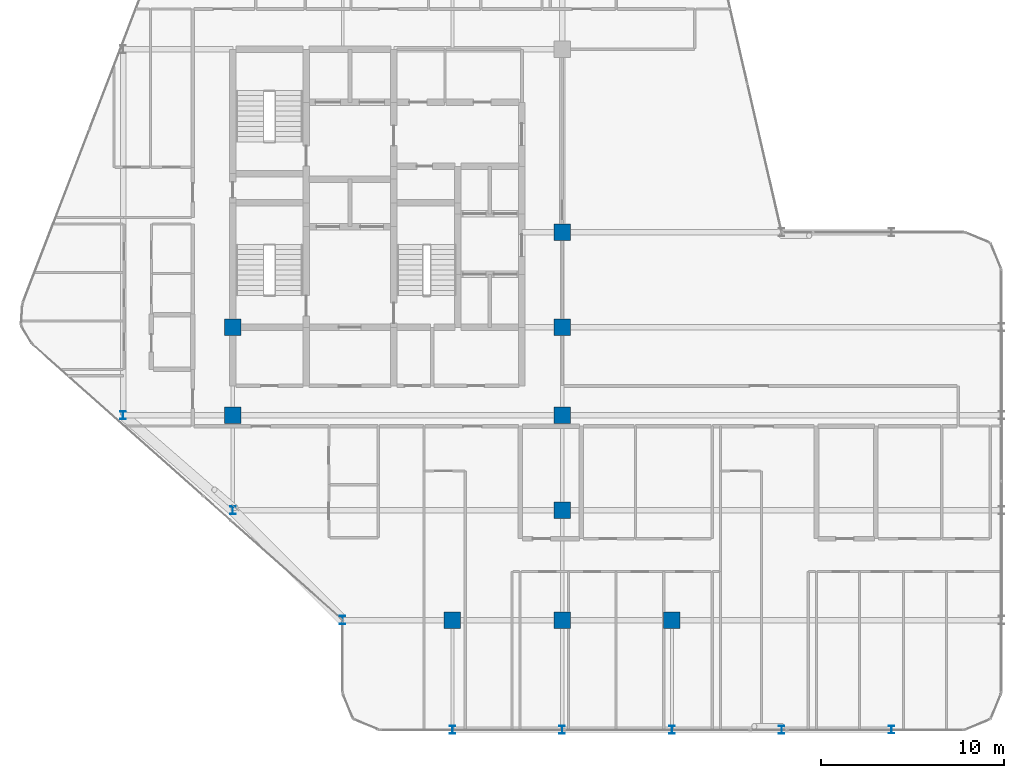
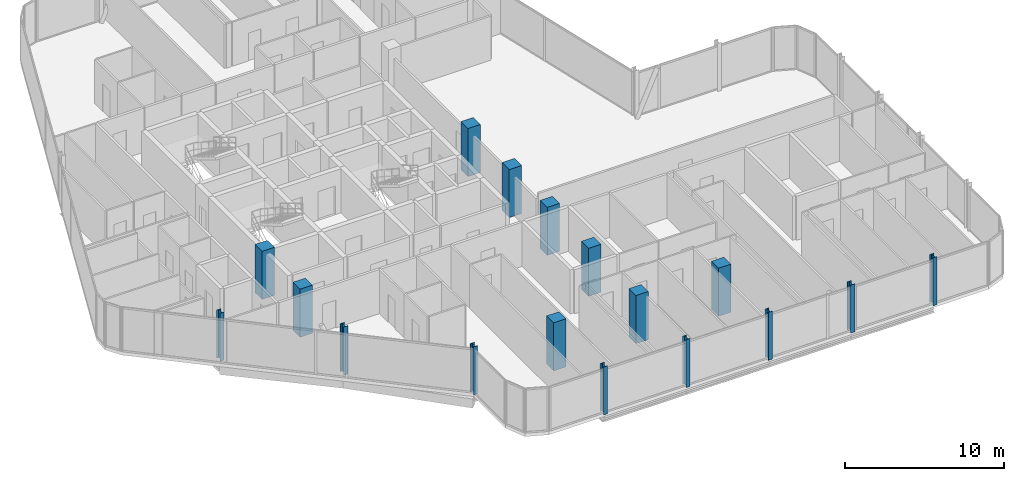
# One storey, part 1 of 29: 17 columns.
"""IFC4 building model written with IfcOpenShell, lengths in metres."""

import ifcopenshell
import ifcopenshell.guid

model = None  # the IFC model being written
_history = None  # IfcOwnerHistory: only IFC2X3 demands one
_inside = {}  # id of a spatial element -> (the spatial element, [elements in it])
_under = {}  # id of a project, library or spatial element -> (it, [spatial elements below it])
_declared = {}  # id of a project -> (the project, [libraries it declares])
_typed = {}  # id of a type object -> (the type object, [elements of that type])
_made_of = {}  # id of a material, layer set ... -> (it, [elements and type objects made of it])


def new_model(schema):
    """Start an empty IFC model of exactly this schema.

    Asked for "IFC4X3", IfcOpenShell would pick the latest addendum, in which some entities
    have other attributes; the version numbers below select the first issue.
    IFC2X3 requires an IfcOwnerHistory on every rooted entity: one is made here for all.
    """
    global model, _history
    if schema == "IFC4X3":
        model = ifcopenshell.file(schema_version=(4, 3, 0, 0))
    else:
        model = ifcopenshell.file(schema=schema)
    _inside.clear()
    _under.clear()
    _declared.clear()
    _typed.clear()
    _made_of.clear()
    _history = None
    if model.schema == "IFC2X3":
        org = make("IfcOrganization", Name="unknown")
        user = make(
            "IfcPersonAndOrganization",
            ThePerson=make("IfcPerson", FamilyName="unknown"),
            TheOrganization=org,
        )
        app = make(
            "IfcApplication",
            ApplicationDeveloper=org,
            Version="unknown",
            ApplicationFullName="unknown",
            ApplicationIdentifier="unknown",
        )
        _history = make(
            "IfcOwnerHistory",
            OwningUser=user,
            OwningApplication=app,
            ChangeAction="ADDED",
            CreationDate=0,
        )
    return model


def make(cls, **values):
    """One entity of the class cls with the attributes given. An attribute that is None is left unset."""
    return model.create_entity(
        cls, **{name: value for name, value in values.items() if value is not None}
    )


def rooted(cls, **values):
    """An entity with a GlobalId (a new one), such as an element, a storey or a relation."""
    return make(cls, GlobalId=ifcopenshell.guid.new(), OwnerHistory=_history, **values)


def si_unit(unit_type, name, prefix=None):
    """IfcSIUnit, for example si_unit("LENGTHUNIT", "METRE", prefix="MILLI")."""
    return make("IfcSIUnit", UnitType=unit_type, Prefix=prefix, Name=name)


def assignment(units):
    """IfcUnitAssignment: the units of a project."""
    return None if units is None else make("IfcUnitAssignment", Units=units)


def point(xyz):
    """IfcCartesianPoint."""
    return None if xyz is None else make("IfcCartesianPoint", Coordinates=xyz)


def direction(xyz):
    """IfcDirection."""
    return None if xyz is None else make("IfcDirection", DirectionRatios=xyz)


def frame(location, z_axis=None, x_axis=None):
    """IfcAxis2Placement3D, a coordinate frame: its origin and axes. An axis left out is left unset."""
    return make(
        "IfcAxis2Placement3D",
        Location=point(location),
        Axis=direction(z_axis),
        RefDirection=direction(x_axis),
    )


def frame_2d(location, x_axis=None):
    """IfcAxis2Placement2D, a coordinate frame in the plane: its origin and x axis."""
    return make(
        "IfcAxis2Placement2D", Location=point(location), RefDirection=direction(x_axis)
    )


def origin():
    """The frame at (0, 0, 0) with its axes left unset."""
    return frame((0.0, 0.0, 0.0))


def origin_2d():
    """The frame at (0, 0) in the plane with its x axis left unset."""
    return frame_2d((0.0, 0.0))


def place(relative_to, where):
    """IfcLocalPlacement: puts the frame where relative to a parent placement (None: the world)."""
    return make(
        "IfcLocalPlacement", PlacementRelTo=relative_to, RelativePlacement=where
    )


def context(
    kind, dimensions, precision=None, world=None, true_north=None, identifier=None
):
    """IfcGeometricRepresentationContext, for example the 3D "Model" context."""
    return make(
        "IfcGeometricRepresentationContext",
        ContextIdentifier=identifier,
        ContextType=kind,
        CoordinateSpaceDimension=dimensions,
        Precision=precision,
        WorldCoordinateSystem=world,
        TrueNorth=true_north,
    )


def subcontext(parent, identifier, kind, view, scale=None):
    """IfcGeometricRepresentationSubContext, for example "Body" below "Model"."""
    return make(
        "IfcGeometricRepresentationSubContext",
        ContextIdentifier=identifier,
        ContextType=kind,
        ParentContext=parent,
        TargetScale=scale,
        TargetView=view,
    )


def project(units=None, contexts=None):
    """IfcProject with its units and contexts."""
    return rooted(
        "IfcProject",
        Name="project",
        RepresentationContexts=contexts,
        UnitsInContext=assignment(units),
    )


def spatial(cls, under=None, at=None, **own):
    """A site, building, storey or space (cls), placed at a placement, below another one or the project."""
    s = rooted(cls, ObjectPlacement=at, **own)
    if under is not None:
        _under.setdefault(under.id(), (under, []))[1].append(s)
    return s


def profile(cls, at=None, kind="AREA", **sizes):
    """A parametric profile (cls). Its sizes go by their IFC names, for example OverallWidth=200.0."""
    return make(cls, ProfileType=kind, Position=at, **sizes)


def rectangle(**sizes):
    """IfcRectangleProfileDef."""
    return profile("IfcRectangleProfileDef", **sizes)


def i_section(**sizes):
    """IfcIShapeProfileDef."""
    return profile("IfcIShapeProfileDef", **sizes)


def extrude(swept, where, along, depth):
    """IfcExtrudedAreaSolid: the profile swept, set in the frame where, extruded along a direction by depth."""
    return make(
        "IfcExtrudedAreaSolid",
        SweptArea=swept,
        Position=where,
        ExtrudedDirection=direction(along),
        Depth=depth,
    )


def shape(context_of_items, identifier, shape_type, items):
    """IfcShapeRepresentation: the items that make up one representation, for example the "Body"."""
    return make(
        "IfcShapeRepresentation",
        ContextOfItems=context_of_items,
        RepresentationIdentifier=identifier,
        RepresentationType=shape_type,
        Items=items,
    )


def material(Name=None, Category=None):
    """IfcMaterial."""
    return make("IfcMaterial", Name=Name, Category=Category)


def material_profile(
    of_material, cross_section, Name=None, Category=None, Priority=None
):
    """IfcMaterialProfile: a cross section and its material."""
    return make(
        "IfcMaterialProfile",
        Name=Name,
        Material=of_material,
        Profile=cross_section,
        Priority=Priority,
        Category=Category,
    )


def profile_set(profiles, Name=None, composite=None):
    """IfcMaterialProfileSet."""
    return make(
        "IfcMaterialProfileSet",
        Name=Name,
        MaterialProfiles=profiles,
        CompositeProfile=composite,
    )


def made_of(thing, what):
    """Note that an element or type object is made of a material, layer set ...; save() writes the relation."""
    if what is not None:
        _made_of.setdefault(what.id(), (what, []))[1].append(thing)
    return thing


def type_object(cls, material=None, **own):
    """A type object (cls), such as IfcWallType, which elements share."""
    return made_of(rooted(cls, **own), material)


def element(
    cls,
    number,
    at=None,
    inside=None,
    cuts=None,
    type_object=None,
    material=None,
    context=None,
    identifier="Body",
    shape_type=None,
    held_by="IfcProductDefinitionShape",
    body=None,
    shapes=None,
    **own,
):
    """One element of the class cls, such as IfcWall. Its Tag is "e" and its number.

    at: its placement. inside: the storey or other place that contains it. cuts: it is an
    opening in that element (IfcRelVoidsElement). A single representation is given by context,
    identifier, shape_type and body (its items); several are given by shapes. held_by: the class
    of the entity that holds the representations. save() writes the other relations.
    """
    e = rooted(cls, Tag="e%d" % number, ObjectPlacement=at, **own)
    if body is not None:
        shapes = [shape(context, identifier, shape_type, body)]
    if shapes is not None:
        e.Representation = make(held_by, Representations=shapes)
    if inside is not None:
        _inside.setdefault(inside.id(), (inside, []))[1].append(e)
    if cuts is not None:
        rooted(
            "IfcRelVoidsElement", RelatingBuildingElement=cuts, RelatedOpeningElement=e
        )
    if type_object is not None:
        _typed.setdefault(type_object.id(), (type_object, []))[1].append(e)
    return made_of(e, material)


def aggregate(whole, parts):
    """IfcRelAggregates: a whole, such as a stair, and the parts it consists of."""
    return rooted("IfcRelAggregates", RelatingObject=whole, RelatedObjects=parts)


def save(model, path):
    """Write the relations noted so far, then the file.

    IfcRelAggregates (storeys below a building ...), IfcRelContainedInSpatialStructure (elements
    in a storey), IfcRelDefinesByType, IfcRelAssociatesMaterial and IfcRelDeclares: one each for
    every whole, place, type object, material and project.
    """
    for whole, parts in _under.values():
        aggregate(whole, parts)
    for where, things in _inside.values():
        rooted(
            "IfcRelContainedInSpatialStructure",
            RelatedElements=things,
            RelatingStructure=where,
        )
    for kind, things in _typed.values():
        rooted("IfcRelDefinesByType", RelatedObjects=things, RelatingType=kind)
    for what, things in _made_of.values():
        rooted("IfcRelAssociatesMaterial", RelatedObjects=things, RelatingMaterial=what)
    for by, libraries in _declared.values():
        rooted("IfcRelDeclares", RelatingContext=by, RelatedDefinitions=libraries)
    model.write(path)


model = new_model("IFC4")

# Units and contexts
model_context = context("Model", 3, precision=1e-05, world=origin(), true_north=direction((0.0, 1.0)))
body_context = subcontext(model_context, "Body", "Model", "MODEL_VIEW")
ifc_project = project(units=[si_unit("LENGTHUNIT", "METRE"), si_unit("AREAUNIT", "SQUARE_METRE"), si_unit("VOLUMEUNIT", "CUBIC_METRE"), si_unit("PLANEANGLEUNIT", "RADIAN"), si_unit("MASSUNIT", "GRAM", prefix="KILO")], contexts=[model_context])

# Site, building, storey
site_placement = place(None, origin())
site = spatial("IfcSite", under=ifc_project, at=site_placement, CompositionType="ELEMENT")
building_placement = place(site_placement, origin())
building = spatial("IfcBuilding", under=site, at=building_placement, Name="Keshet Zoharim Tower", CompositionType="ELEMENT")
storey_placement = place(building_placement, frame((0.0, 0.0, 169.10009765625)))
storey = spatial("IfcBuildingStorey", under=building, at=storey_placement, Name="L41", CompositionType="ELEMENT", Elevation=169.10009765625)

# Columns
ifc_material_1 = material(Name="Steel S355", Category="steel")
ifc_material_profile_1 = material_profile(ifc_material_1, i_section(OverallWidth=0.300048828125, OverallDepth=0.449951171875, WebThickness=0.013916015625, FlangeThickness=0.02587890625, FilletRadius=0.027099609375, at=origin_2d()), Name="HEB450")
ifc_profile_set_1 = profile_set([ifc_material_profile_1], Name="Steel S355")
column_type_1 = type_object("IfcColumnType", Name="COL-HEB450", PredefinedType="COLUMN", material=ifc_profile_set_1)
for number, where, z_axis, x_axis, name in (
    (1, (9.0, 17.89990234375, 0.0), (0.0, 0.0, 1.0), (1.0, 0.0, 0.0), "L41 Column 2D"),
    (2, (15.0, 12.699951171875, 0.0), (0.0, 0.0, 1.0), (1.0, 0.0, 0.0), "L41 Column 3C"),
    (3, (21.0, 6.699951171875, 0.0), (0.0, 0.0, 1.0), (1.0, 0.0, 0.0), "L41 Column 4B"),
    (4, (27.0, 0.699951171875, 0.0), (0.0, 0.0, 1.0), (1.0, 0.0, 0.0), "L41 Column 5A"),
    (5, (33.0, 0.699951171875, 0.0), (0.0, 0.0, 1.0), (1.0, 0.0, 0.0), "L41 Column 6A"),
    (6, (39.0, 0.699951171875, 0.0), (0.0, 0.0, 1.0), (1.0, 0.0, 0.0), "L41 Column 7A"),
    (7, (45.0, 0.699951171875, 0.0), (0.0, 0.0, 1.0), (1.0, 0.0, 0.0), "L41 Column 8A"),
    (8, (51.0, 0.699951171875, 0.0), (0.0, 0.0, 1.0), (1.0, 0.0, 0.0), "L41 Column 9A"),
):
    element("IfcColumn", number, at=place(storey_placement, frame(where, z_axis=z_axis, x_axis=x_axis)), inside=storey, type_object=column_type_1, Name=name, PredefinedType="COLUMN", context=body_context, shape_type="SweptSolid", body=[
        extrude(i_section(OverallWidth=0.300048828125, OverallDepth=0.449951171875, WebThickness=0.013916015625, FlangeThickness=0.02587890625, FilletRadius=0.027099609375, at=origin_2d()), origin(), (0.0, 0.0, 1.0), 3.699951171875),
    ])
ifc_material_2 = material(Name="Concrete C60/75", Category="concrete")
ifc_material_profile_2 = material_profile(ifc_material_2, rectangle(XDim=0.89990234375, YDim=0.89990234375, at=origin_2d()), Name="RC900x900")
ifc_profile_set_2 = profile_set([ifc_material_profile_2], Name="Concrete C60/75")
column_type_2 = type_object("IfcColumnType", Name="COL-RC900", PredefinedType="COLUMN", material=ifc_profile_set_2)
for number, where, z_axis, x_axis, name in (
    (9, (15.0, 17.89990234375, 0.0), (0.0, 0.0, 1.0), (1.0, 0.0, 0.0), "L41 Column 3D"),
    (10, (15.0, 22.699951171875, 0.0), (0.0, 0.0, 1.0), (1.0, 0.0, 0.0), "L41 Column 3E"),
    (11, (27.0, 6.699951171875, 0.0), (0.0, 0.0, 1.0), (1.0, 0.0, 0.0), "L41 Column 5B"),
    (12, (33.0, 6.699951171875, 0.0), (0.0, 0.0, 1.0), (1.0, 0.0, 0.0), "L41 Column 6B"),
    (13, (33.0, 12.699951171875, 0.0), (0.0, 0.0, 1.0), (1.0, 0.0, 0.0), "L41 Column 6C"),
    (14, (33.0, 17.89990234375, 0.0), (0.0, 0.0, 1.0), (1.0, 0.0, 0.0), "L41 Column 6D"),
    (15, (33.0, 22.699951171875, 0.0), (0.0, 0.0, 1.0), (1.0, 0.0, 0.0), "L41 Column 6E"),
    (16, (33.0, 27.89990234375, 0.0), (0.0, 0.0, 1.0), (1.0, 0.0, 0.0), "L41 Column 6F"),
    (17, (39.0, 6.699951171875, 0.0), (0.0, 0.0, 1.0), (1.0, 0.0, 0.0), "L41 Column 7B"),
):
    element("IfcColumn", number, at=place(storey_placement, frame(where, z_axis=z_axis, x_axis=x_axis)), inside=storey, type_object=column_type_2, Name=name, PredefinedType="COLUMN", context=body_context, shape_type="SweptSolid", body=[
        extrude(rectangle(XDim=0.89990234375, YDim=0.89990234375, at=origin_2d()), origin(), (0.0, 0.0, 1.0), 3.699951171875),
    ])

save(model, "model.ifc")
